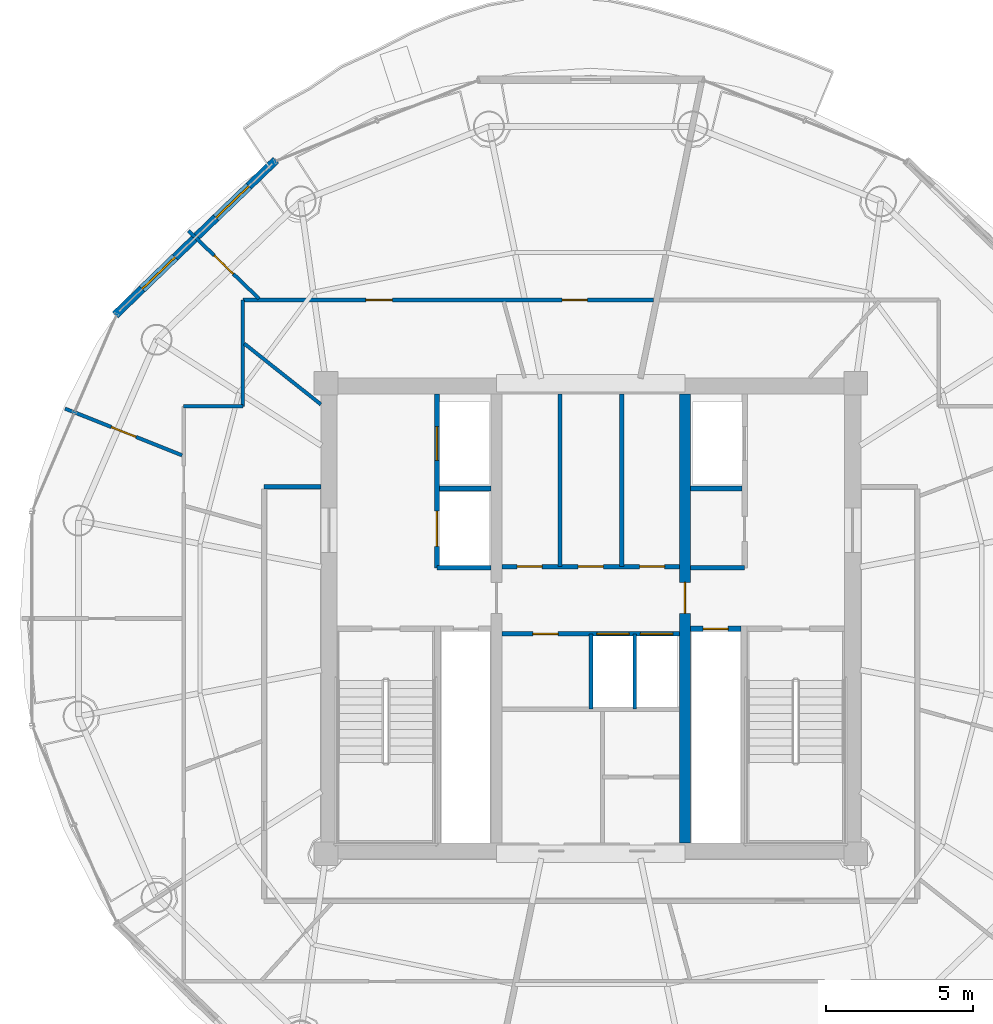
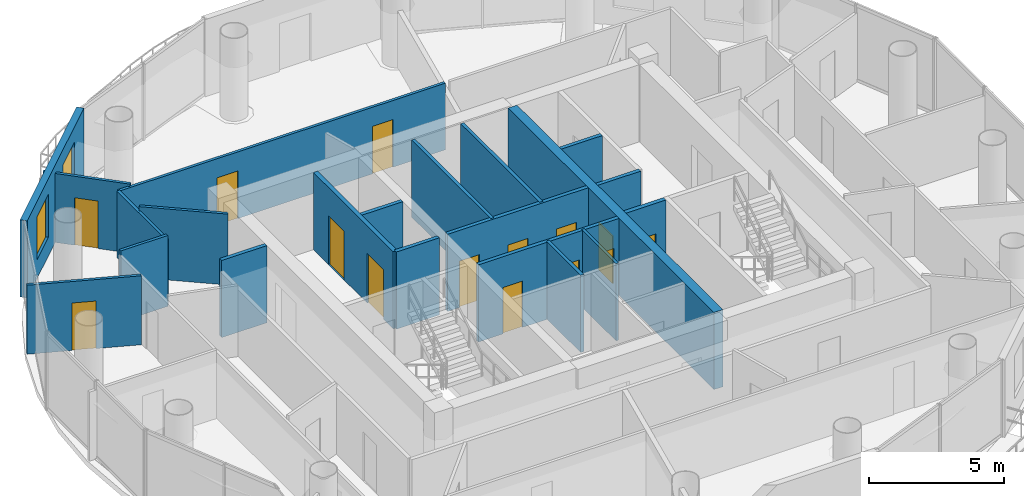
# One storey, part 15 of 21: 21 walls, 14 doors, 2 windows, 16 openings.
"""IFC4 building model written with IfcOpenShell, lengths in metres."""

from ifc_helpers import new_model, si_unit, direction, frame, frame_2d, origin, place, context, subcontext, project, spatial, rectangle, extrude, source, transform, mapped, material, layer, layer_set, type_object, element, fill, save


model = new_model("IFC4")

# Units and contexts
model_context = context("Model", 3, precision=1e-05, world=origin(), true_north=direction((-0.2419218956, 0.970295726276)))
body_context = subcontext(model_context, "Body", "Model", "MODEL_VIEW")
ifc_project = project(units=[si_unit("LENGTHUNIT", "METRE"), si_unit("AREAUNIT", "SQUARE_METRE"), si_unit("VOLUMEUNIT", "CUBIC_METRE"), si_unit("PLANEANGLEUNIT", "RADIAN"), si_unit("MASSUNIT", "GRAM", prefix="KILO")], contexts=[model_context])

# Site, building, storey
site_placement = place(None, origin())
site = spatial("IfcSite", under=ifc_project, at=site_placement, CompositionType="ELEMENT")
building_placement = place(site_placement, origin())
building = spatial("IfcBuilding", under=site, at=building_placement, Name="Cobrevalo Terracotta Tower", CompositionType="ELEMENT")
storey_placement = place(building_placement, frame((0.0, 0.0, 281.949951171875)))
storey = spatial("IfcBuildingStorey", under=building, at=storey_placement, Name="L74", CompositionType="ELEMENT", Elevation=281.949951171875)

# Walls
ifc_material_1 = material(Name="Gypsum board on steel stud", Category="steel")
ifc_layer_1 = layer(ifc_material_1, 0.159912109375)
ifc_layer_set_1 = layer_set([ifc_layer_1], Name="Gypsum board on steel stud")
wall_type_1 = type_object("IfcWallType", Name="Fire-rated corridor acoustic partition wall 160 mm", PredefinedType="PARTITIONING", material=ifc_layer_set_1)
wall_1_placement = place(storey_placement, frame((32.860107421875, 31.219970703125, 0.0), z_axis=(0.0, 0.0, 1.0), x_axis=(1.0, 0.0, 0.0)))
element("IfcWall", 1, at=wall_1_placement, inside=storey, type_object=wall_type_1, Name="L74 interior partition IW-L74-FF1-M", PredefinedType="PARTITIONING", context=body_context, shape_type="SweptSolid", body=[
    extrude(rectangle(XDim=1.75, YDim=0.159912109375, at=frame_2d((0.875, 0.0))), origin(), (0.0, 0.0, 1.0), 3.489990234375),
])
wall_2_placement = place(storey_placement, frame((32.77001953125, 28.52001953125, 0.0), z_axis=(0.0, 0.0, 1.0), x_axis=(1.0, 0.0, 0.0)))
element("IfcWall", 2, at=wall_2_placement, inside=storey, type_object=wall_type_1, Name="L74 interior partition IW-L74-FF1-S", PredefinedType="PARTITIONING", context=body_context, shape_type="SweptSolid", body=[
    extrude(rectangle(XDim=1.840087890625, YDim=0.159912109375, at=frame_2d((0.919921875, 0.0))), origin(), (0.0, 0.0, 1.0), 3.489990234375),
])
wall_3_placement = place(storey_placement, frame((41.389892578125, 31.219970703125, 0.0), z_axis=(0.0, 0.0, 1.0), x_axis=(1.0, 0.0, 0.0)))
element("IfcWall", 3, at=wall_3_placement, inside=storey, type_object=wall_type_1, Name="L74 interior partition IW-L74-FF2-M", PredefinedType="PARTITIONING", context=body_context, shape_type="SweptSolid", body=[
    extrude(rectangle(XDim=1.75, YDim=0.159912109375, at=frame_2d((0.875, 0.0))), origin(), (0.0, 0.0, 1.0), 3.489990234375),
])
wall_4_placement = place(storey_placement, frame((41.389892578125, 28.52001953125, 0.0), z_axis=(0.0, 0.0, 1.0), x_axis=(1.0, 0.0, 0.0)))
element("IfcWall", 4, at=wall_4_placement, inside=storey, type_object=wall_type_1, Name="L74 interior partition IW-L74-FF2-S", PredefinedType="PARTITIONING", context=body_context, shape_type="SweptSolid", body=[
    extrude(rectangle(XDim=1.840087890625, YDim=0.159912109375, at=frame_2d((0.919921875, 0.0))), origin(), (0.0, 0.0, 1.0), 3.489990234375),
])

# Wall, openings, doors
wall_5_placement = place(storey_placement, frame((34.989990234375, 28.56005859375, 0.0), z_axis=(0.0, 0.0, 1.0), x_axis=(1.0, 0.0, 0.0)))
wall_5 = element("IfcWall", 5, at=wall_5_placement, inside=storey, type_object=wall_type_1, Name="L74 interior partition IW-L74-LB-S", PredefinedType="PARTITIONING", context=body_context, shape_type="SweptSolid", body=[
    extrude(rectangle(XDim=6.02001953125, YDim=0.159912109375, at=frame_2d((3.010009765625, 0.0))), origin(), (0.0, 0.0, 1.0), 3.489990234375),
])
opening_1_placement = place(wall_5_placement, frame((0.5048828125, 0.0, 0.0)))
opening_1 = element("IfcOpeningElement", 6, at=opening_1_placement, cuts=wall_5, Name="Opening ID-22", PredefinedType="OPENING", context=body_context, shape_type="SweptSolid", body=[
    extrude(rectangle(XDim=0.85009765625, YDim=2.10009765625, at=frame_2d((0.425048828125, 1.050048828125))), frame((0.0, 0.08984375, 0.0), z_axis=(0.0, -1.0, 0.0), x_axis=(1.0, 0.0, 0.0)), (0.0, 0.0, 1.0), 0.179931640625),
])
opening_2_placement = place(wall_5_placement, frame((2.580078125, 0.0, 0.0)))
opening_2 = element("IfcOpeningElement", 7, at=opening_2_placement, cuts=wall_5, Name="Opening ID-07", PredefinedType="OPENING", context=body_context, shape_type="SweptSolid", body=[
    extrude(rectangle(XDim=0.860107421875, YDim=2.10009765625, at=frame_2d((0.43017578125, 1.050048828125))), frame((0.0, 0.08984375, 0.0), z_axis=(0.0, -1.0, 0.0), x_axis=(1.0, 0.0, 0.0)), (0.0, 0.0, 1.0), 0.179931640625),
])
opening_3_placement = place(wall_5_placement, frame((4.6650390625, 0.0, 0.0)))
opening_3 = element("IfcOpeningElement", 8, at=opening_3_placement, cuts=wall_5, Name="Opening ID-22", PredefinedType="OPENING", context=body_context, shape_type="SweptSolid", body=[
    extrude(rectangle(XDim=0.85009765625, YDim=2.10009765625, at=frame_2d((0.425048828125, 1.050048828125))), frame((0.0, 0.08984375, 0.0), z_axis=(0.0, -1.0, 0.0), x_axis=(1.0, 0.0, 0.0)), (0.0, 0.0, 1.0), 0.179931640625),
])
ifc_material_2 = material(Name="Powder-coated steel", Category="steel")
door_type_1 = type_object("IfcDoorType", Name="Riser shaft & meter closet fire access door 850x2100 EI 60", OperationType="NOTDEFINED", PredefinedType="DOOR", material=ifc_material_2)
shared_shape_1 = source(origin(), body_context, "Body", "SweptSolid", [
    extrude(rectangle(XDim=0.85009765625, YDim=2.10009765625, at=frame_2d((0.425048828125, 1.050048828125))), frame((0.0, 0.02490234375, 0.0), z_axis=(0.0, -1.0, 0.0), x_axis=(1.0, 0.0, 0.0)), (0.0, 0.0, 1.0), 0.050048828125),
])
door_1_placement = place(opening_1_placement, origin())
door_1 = element("IfcDoor", 9, at=door_1_placement, inside=storey, type_object=door_type_1, Name="L74 core service door Housekeeping Linen Store", OperationType="SINGLE_SWING_LEFT", OverallHeight=2.10009765625, OverallWidth=0.85009765625, PredefinedType="DOOR", context=body_context, shape_type="MappedRepresentation", body=[
    mapped(shared_shape_1, transform((0.0, 0.0, 0.0), scale=1.0)),
])
fill(opening_1, door_1)
door_2_placement = place(opening_3_placement, origin())
door_2 = element("IfcDoor", 10, at=door_2_placement, inside=storey, type_object=door_type_1, Name="L74 core service door Floor BMS Mechanical Plant", OperationType="SINGLE_SWING_LEFT", OverallHeight=2.10009765625, OverallWidth=0.85009765625, PredefinedType="DOOR", context=body_context, shape_type="MappedRepresentation", body=[
    mapped(shared_shape_1, transform((0.0, 0.0, 0.0), scale=1.0)),
])
fill(opening_3, door_2)
ifc_material_3 = material(Name="Fire-rated moisture-sealed timber", Category="wood")
door_type_2 = type_object("IfcDoorType", Name="Core & podium fire-rated accessible WC door 860x2100 EI 60", OperationType="NOTDEFINED", PredefinedType="DOOR", material=ifc_material_3)
shared_shape_2 = source(origin(), body_context, "Body", "SweptSolid", [
    extrude(rectangle(XDim=0.860107421875, YDim=2.10009765625, at=frame_2d((0.43017578125, 1.050048828125))), frame((0.0, 0.02490234375, 0.0), z_axis=(0.0, -1.0, 0.0), x_axis=(1.0, 0.0, 0.0)), (0.0, 0.0, 1.0), 0.050048828125),
])
door_3_placement = place(opening_2_placement, origin())
door_3 = element("IfcDoor", 11, at=door_3_placement, inside=storey, type_object=door_type_2, Name="L74 core service door Floor Service Toilet WC", OperationType="SINGLE_SWING_RIGHT", OverallHeight=2.10009765625, OverallWidth=0.860107421875, PredefinedType="DOOR", context=body_context, shape_type="MappedRepresentation", body=[
    mapped(shared_shape_2, transform((0.0, 0.0, 0.0), scale=1.0)),
])
fill(opening_2, door_3)

wall_6_placement = place(storey_placement, frame((34.989990234375, 26.280029296875, 0.0), z_axis=(0.0, 0.0, 1.0), x_axis=(1.0, 0.0, 0.0)))
wall_6 = element("IfcWall", 12, at=wall_6_placement, inside=storey, type_object=wall_type_1, Name="L74 interior partition IW-L74-MB-N", PredefinedType="PARTITIONING", context=body_context, shape_type="SweptSolid", body=[
    extrude(rectangle(XDim=6.02001953125, YDim=0.159912109375, at=frame_2d((3.010009765625, 0.0))), origin(), (0.0, 0.0, 1.0), 3.489990234375),
])
opening_4_placement = place(wall_6_placement, frame((1.044921875, 0.0, 0.0)))
opening_4 = element("IfcOpeningElement", 13, at=opening_4_placement, cuts=wall_6, Name="Opening ID-22", PredefinedType="OPENING", context=body_context, shape_type="SweptSolid", body=[
    extrude(rectangle(XDim=0.85009765625, YDim=2.10009765625, at=frame_2d((0.425048828125, 1.050048828125))), frame((0.0, 0.08984375, 0.0), z_axis=(0.0, -1.0, 0.0), x_axis=(1.0, 0.0, 0.0)), (0.0, 0.0, 1.0), 0.179931640625),
])
opening_5_placement = place(wall_6_placement, frame((3.215087890625, 0.0, 0.0)))
opening_5 = element("IfcOpeningElement", 14, at=opening_5_placement, cuts=wall_6, Name="Opening LD-01", PredefinedType="OPENING", context=body_context, shape_type="SweptSolid", body=[
    extrude(rectangle(XDim=1.10009765625, YDim=2.199951171875, at=frame_2d((0.550048828125, 1.10009765625))), frame((0.0, 0.08984375, 0.0), z_axis=(0.0, -1.0, 0.0), x_axis=(1.0, 0.0, 0.0)), (0.0, 0.0, 1.0), 0.179931640625),
])
opening_6_placement = place(wall_6_placement, frame((4.695068359375, 0.0, 0.0)))
opening_6 = element("IfcOpeningElement", 15, at=opening_6_placement, cuts=wall_6, Name="Opening LD-01", PredefinedType="OPENING", context=body_context, shape_type="SweptSolid", body=[
    extrude(rectangle(XDim=1.10009765625, YDim=2.199951171875, at=frame_2d((0.550048828125, 1.10009765625))), frame((0.0, 0.08984375, 0.0), z_axis=(0.0, -1.0, 0.0), x_axis=(1.0, 0.0, 0.0)), (0.0, 0.0, 1.0), 0.179931640625),
])
door_4_placement = place(opening_4_placement, frame((0.85009765625, 0.0, 0.0), z_axis=(0.0, 0.0, 1.0), x_axis=(-1.0, 0.0, 0.0)))
door_4 = element("IfcDoor", 16, at=door_4_placement, inside=storey, type_object=door_type_1, Name="L74 core room door High-Rise Core Linen and Equipment Store", OperationType="SINGLE_SWING_RIGHT", OverallHeight=2.10009765625, OverallWidth=0.85009765625, PredefinedType="DOOR", context=body_context, shape_type="MappedRepresentation", body=[
    mapped(shared_shape_1, transform((0.0, 0.0, 0.0), scale=1.0)),
])
fill(opening_4, door_4)
ifc_material_4 = material(Name="Brushed stainless steel", Category="steel")
door_type_3 = type_object("IfcDoorType", Name="Passenger lift landing bi-parting sliding door 1100x2200 EI 90", OperationType="DOUBLE_DOOR_SLIDING", PredefinedType="DOOR", material=ifc_material_4)
shared_shape_3 = source(origin(), body_context, "Body", "SweptSolid", [
    extrude(rectangle(XDim=1.10009765625, YDim=2.199951171875, at=frame_2d((0.550048828125, 1.10009765625))), frame((0.0, 0.02490234375, 0.0), z_axis=(0.0, -1.0, 0.0), x_axis=(1.0, 0.0, 0.0)), (0.0, 0.0, 1.0), 0.050048828125),
])
door_5_placement = place(opening_5_placement, origin())
door_5 = element("IfcDoor", 17, at=door_5_placement, inside=storey, type_object=door_type_3, Name="L74 lift landing door PL-H1", OperationType="DOUBLE_DOOR_SLIDING", OverallHeight=2.199951171875, OverallWidth=1.10009765625, PredefinedType="DOOR", context=body_context, shape_type="MappedRepresentation", body=[
    mapped(shared_shape_3, transform((0.0, 0.0, 0.0), scale=1.0)),
])
fill(opening_5, door_5)
door_6_placement = place(opening_6_placement, origin())
door_6 = element("IfcDoor", 18, at=door_6_placement, inside=storey, type_object=door_type_3, Name="L74 lift landing door PL-H2", OperationType="DOUBLE_DOOR_SLIDING", OverallHeight=2.199951171875, OverallWidth=1.10009765625, PredefinedType="DOOR", context=body_context, shape_type="MappedRepresentation", body=[
    mapped(shared_shape_3, transform((0.0, 0.0, 0.0), scale=1.0)),
])
fill(opening_6, door_6)

# Wall
wall_7_placement = place(storey_placement, frame((26.89501953125, 31.280029296875, 0.0), z_axis=(0.0, 0.0, 1.0), x_axis=(1.0, 0.0, 0.0)))
element("IfcWall", 19, at=wall_7_placement, inside=storey, type_object=wall_type_1, Name="L74 interior partition IW-L74-COR-WN-CAP", PredefinedType="PARTITIONING", context=body_context, shape_type="SweptSolid", body=[
    extrude(rectangle(XDim=1.929931640625, YDim=0.159912109375, at=frame_2d((0.96484375, 0.0))), origin(), (0.0, 0.0, 1.0), 3.489990234375),
])

# Wall, opening, door
ifc_layer_2 = layer(ifc_material_1, 0.179931640625)
ifc_layer_set_2 = layer_set([ifc_layer_2], Name="Gypsum board on steel stud")
wall_type_2 = type_object("IfcWallType", Name="Fire-rated shaft & lobby acoustic partition wall 180 mm", PredefinedType="PARTITIONING", material=ifc_layer_set_2)
wall_8_placement = place(storey_placement, frame((41.389892578125, 26.449951171875, 0.0), z_axis=(0.0, 0.0, 1.0), x_axis=(1.0, 0.0, 0.0)))
wall_8 = element("IfcWall", 20, at=wall_8_placement, inside=storey, type_object=wall_type_2, Name="L74 interior partition IW-L74-RSE-N", PredefinedType="PARTITIONING", context=body_context, shape_type="SweptSolid", body=[
    extrude(rectangle(XDim=1.710205078125, YDim=0.179931640625, at=frame_2d((0.85498046875, 0.0))), origin(), (0.0, 0.0, 1.0), 3.489990234375),
])
opening_7_placement = place(wall_8_placement, frame((0.429931640625, 0.0, 0.0)))
opening_7 = element("IfcOpeningElement", 21, at=opening_7_placement, cuts=wall_8, Name="Opening ID-22", PredefinedType="OPENING", context=body_context, shape_type="SweptSolid", body=[
    extrude(rectangle(XDim=0.85009765625, YDim=2.10009765625, at=frame_2d((0.425048828125, 1.050048828125))), frame((0.0, 0.10009765625, 0.0), z_axis=(0.0, -1.0, 0.0), x_axis=(1.0, 0.0, 0.0)), (0.0, 0.0, 1.0), 0.199951171875),
])
door_7_placement = place(opening_7_placement, origin())
door_7 = element("IfcDoor", 22, at=door_7_placement, inside=storey, type_object=door_type_1, Name="L74 riser access door RSE", OperationType="SINGLE_SWING_RIGHT", OverallHeight=2.10009765625, OverallWidth=0.85009765625, PredefinedType="DOOR", context=body_context, shape_type="MappedRepresentation", body=[
    mapped(shared_shape_1, transform((0.0, 0.0, 0.0), scale=1.0)),
])
fill(opening_7, door_7)

# Wall, openings, doors
wall_9_placement = place(storey_placement, frame((32.77001953125, 28.52001953125, 0.0), z_axis=(0.0, 0.0, 1.0), x_axis=(0.0, 1.0, 0.0)))
wall_9 = element("IfcWall", 23, at=wall_9_placement, inside=storey, type_object=wall_type_2, Name="L74 interior partition IW-L74-FF1-W", PredefinedType="PARTITIONING", context=body_context, shape_type="SweptSolid", body=[
    extrude(rectangle(XDim=5.905029296875, YDim=0.179931640625, at=frame_2d((2.95263671875, 0.0))), origin(), (0.0, 0.0, 1.0), 3.489990234375),
])
opening_8_placement = place(wall_9_placement, frame((3.655029296875, 0.0, 0.0)))
opening_8 = element("IfcOpeningElement", 24, at=opening_8_placement, cuts=wall_9, Name="Opening LD-02", PredefinedType="OPENING", context=body_context, shape_type="SweptSolid", body=[
    extrude(rectangle(XDim=1.14990234375, YDim=2.199951171875, at=frame_2d((0.574951171875, 1.10009765625))), frame((0.0, 0.10009765625, 0.0), z_axis=(0.0, -1.0, 0.0), x_axis=(1.0, 0.0, 0.0)), (0.0, 0.0, 1.0), 0.199951171875),
])
opening_9_placement = place(wall_9_placement, frame((0.72998046875, 0.0, 0.0)))
opening_9 = element("IfcOpeningElement", 25, at=opening_9_placement, cuts=wall_9, Name="Opening LD-03", PredefinedType="OPENING", context=body_context, shape_type="SweptSolid", body=[
    extrude(rectangle(XDim=1.199951171875, YDim=2.25, at=frame_2d((0.60009765625, 1.125))), frame((0.0, 0.10009765625, 0.0), z_axis=(0.0, -1.0, 0.0), x_axis=(1.0, 0.0, 0.0)), (0.0, 0.0, 1.0), 0.199951171875),
])
door_type_4 = type_object("IfcDoorType", Name="Firefighting lift landing bi-parting sliding door 1150x2200 EI 120", OperationType="DOUBLE_DOOR_SLIDING", PredefinedType="DOOR", material=ifc_material_4)
shared_shape_4 = source(origin(), body_context, "Body", "SweptSolid", [
    extrude(rectangle(XDim=1.14990234375, YDim=2.199951171875, at=frame_2d((0.574951171875, 1.10009765625))), frame((0.0, 0.02490234375, 0.0), z_axis=(0.0, -1.0, 0.0), x_axis=(1.0, 0.0, 0.0)), (0.0, 0.0, 1.0), 0.050048828125),
])
door_8_placement = place(opening_8_placement, origin())
door_8 = element("IfcDoor", 26, at=door_8_placement, inside=storey, type_object=door_type_4, Name="L74 lift landing door FF-1", OperationType="DOUBLE_DOOR_SLIDING", OverallHeight=2.199951171875, OverallWidth=1.14990234375, PredefinedType="DOOR", context=body_context, shape_type="MappedRepresentation", body=[
    mapped(shared_shape_4, transform((0.0, 0.0, 0.0), scale=1.0)),
])
fill(opening_8, door_8)
door_type_5 = type_object("IfcDoorType", Name="Service lift landing bi-parting sliding door 1200x2250 EI 120", OperationType="DOUBLE_DOOR_SLIDING", PredefinedType="DOOR", material=ifc_material_4)
shared_shape_5 = source(origin(), body_context, "Body", "SweptSolid", [
    extrude(rectangle(XDim=1.199951171875, YDim=2.25, at=frame_2d((0.60009765625, 1.125))), frame((0.0, 0.02490234375, 0.0), z_axis=(0.0, -1.0, 0.0), x_axis=(1.0, 0.0, 0.0)), (0.0, 0.0, 1.0), 0.050048828125),
])
door_9_placement = place(opening_9_placement, origin())
door_9 = element("IfcDoor", 27, at=door_9_placement, inside=storey, type_object=door_type_5, Name="L74 lift landing door SV-1", OperationType="DOUBLE_DOOR_SLIDING", OverallHeight=2.25, OverallWidth=1.199951171875, PredefinedType="DOOR", context=body_context, shape_type="MappedRepresentation", body=[
    mapped(shared_shape_5, transform((0.0, 0.0, 0.0), scale=1.0)),
])
fill(opening_9, door_9)

# Wall
ifc_material_5 = material(Name="Autoclaved aerated concrete block", Category="concrete")
ifc_layer_3 = layer(ifc_material_5, 0.1201171875)
ifc_layer_set_3 = layer_set([ifc_layer_3], Name="Autoclaved aerated concrete block")
wall_type_3 = type_object("IfcWallType", Name="Fire-rated wet-room & core service partition 120 mm", PredefinedType="PARTITIONING", material=ifc_layer_set_3)
wall_10_placement = place(storey_placement, frame((39.5, 23.719970703125, 0.0), z_axis=(0.0, 0.0, 1.0), x_axis=(0.0, 1.0, 0.0)))
element("IfcWall", 28, at=wall_10_placement, inside=storey, type_object=wall_type_3, Name="L74 interior partition IW-L74-MB-D3", PredefinedType="PARTITIONING", context=body_context, shape_type="SweptSolid", body=[
    extrude(rectangle(XDim=2.56005859375, YDim=0.1201171875, at=frame_2d((1.280029296875, 0.0))), origin(), (0.0, 0.0, 1.0), 3.489990234375),
])

# Wall, openings, windows
ifc_layer_4 = layer(ifc_material_5, 0.280029296875)
ifc_layer_set_4 = layer_set([ifc_layer_4], Name="Autoclaved aerated concrete block")
wall_type_4 = type_object("IfcWallType", Name="Insulated tower spandrel & pier wall 280 mm with terracotta rainscreen", PredefinedType="SOLIDWALL", material=ifc_layer_set_4)
wall_11_placement = place(storey_placement, frame((27.296142578125, 42.379150390625, 0.0), z_axis=(0.0, 0.0, 1.0), x_axis=(-0.719979309073, -0.693995529169, 0.0)))
wall_11 = element("IfcWall", 29, at=wall_11_placement, inside=storey, type_object=wall_type_4, Name="L74 terracotta rainscreen pier wall S06", PredefinedType="SOLIDWALL", context=body_context, shape_type="SweptSolid", body=[
    extrude(rectangle(XDim=7.58251953125, YDim=0.280029296875, at=frame_2d((3.791259765625, 0.0))), origin(), (0.0, 0.0, 1.0), 3.489990234375),
])
opening_10_placement = place(wall_11_placement, frame((1.272216796875, 0.0, 0.85009765625)))
opening_10 = element("IfcOpeningElement", 30, at=opening_10_placement, cuts=wall_11, Name="Opening WN-12", PredefinedType="OPENING", context=body_context, shape_type="SweptSolid", body=[
    extrude(rectangle(XDim=1.550048828125, YDim=1.949951171875, at=frame_2d((0.77490234375, 0.97509765625))), frame((0.0, 0.14990234375, 0.0), z_axis=(0.0, -1.0, 0.0), x_axis=(1.0, 0.0, 0.0)), (0.0, 0.0, 1.0), 0.300048828125),
])
opening_11_placement = place(wall_11_placement, frame((4.76025390625, 0.0, 0.85009765625)))
opening_11 = element("IfcOpeningElement", 31, at=opening_11_placement, cuts=wall_11, Name="Opening WN-12", PredefinedType="OPENING", context=body_context, shape_type="SweptSolid", body=[
    extrude(rectangle(XDim=1.550048828125, YDim=1.949951171875, at=frame_2d((0.77490234375, 0.97509765625))), frame((0.0, 0.14990234375, 0.0), z_axis=(0.0, -1.0, 0.0), x_axis=(1.0, 0.0, 0.0)), (0.0, 0.0, 1.0), 0.300048828125),
])
ifc_material_6 = material(Name="Solar-control low-E double glazing", Category="glass")
window_type = type_object("IfcWindowType", Name="Solar-control low-E aluminium window 1550x1950", PartitioningType="SINGLE_PANEL", PredefinedType="WINDOW", material=ifc_material_6)
shared_shape_6 = source(origin(), body_context, "Body", "SweptSolid", [
    extrude(rectangle(XDim=1.550048828125, YDim=1.949951171875, at=frame_2d((0.77490234375, 0.97509765625))), frame((0.0, 0.030029296875, 0.0), z_axis=(0.0, -1.0, 0.0), x_axis=(1.0, 0.0, 0.0)), (0.0, 0.0, 1.0), 0.06005859375),
])
window_1_placement = place(opening_10_placement, origin())
window_1 = element("IfcWindow", 32, at=window_1_placement, inside=storey, type_object=window_type, Name="L74 suite window S06A", OverallHeight=1.949951171875, OverallWidth=1.550048828125, PartitioningType="SINGLE_PANEL", PredefinedType="WINDOW", context=body_context, shape_type="MappedRepresentation", body=[
    mapped(shared_shape_6, transform((0.0, 0.0, 0.0), scale=1.0)),
])
fill(opening_10, window_1)
window_2_placement = place(opening_11_placement, origin())
window_2 = element("IfcWindow", 33, at=window_2_placement, inside=storey, type_object=window_type, Name="L74 suite window S06B", OverallHeight=1.949951171875, OverallWidth=1.550048828125, PartitioningType="SINGLE_PANEL", PredefinedType="WINDOW", context=body_context, shape_type="MappedRepresentation", body=[
    mapped(shared_shape_6, transform((0.0, 0.0, 0.0), scale=1.0)),
])
fill(opening_11, window_2)

# Wall, opening, door
ifc_material_7 = material(Name="Concrete C50", Category="concrete")
ifc_layer_5 = layer(ifc_material_7, 0.3798828125)
ifc_layer_set_5 = layer_set([ifc_layer_5], Name="Concrete C50")
wall_type_5 = type_object("IfcWallType", Name="Internal core shear web wall 380 mm Concrete C50", PredefinedType="SHEAR", material=ifc_layer_set_5)
wall_12_placement = place(storey_placement, frame((41.199951171875, 19.175048828125, 0.0), z_axis=(0.0, 0.0, 1.0), x_axis=(0.0, 1.0, 0.0)))
wall_12 = element("IfcWall", 34, at=wall_12_placement, inside=storey, type_object=wall_type_5, Name="L74 internal core shear wall WEB-E", PredefinedType="SHEAR", context=body_context, shape_type="SweptSolid", body=[
    extrude(rectangle(XDim=15.25, YDim=0.3798828125, at=frame_2d((7.625, 0.0))), origin(), (0.0, 0.0, 1.0), 3.489990234375),
])
opening_12_placement = place(wall_12_placement, frame((7.800048828125, 0.0, 0.0)))
opening_12 = element("IfcOpeningElement", 35, at=opening_12_placement, cuts=wall_12, Name="Opening ID-11", PredefinedType="OPENING", context=body_context, shape_type="SweptSolid", body=[
    extrude(rectangle(XDim=1.050048828125, YDim=2.14990234375, at=frame_2d((0.52490234375, 1.074951171875))), frame((0.0, 0.199951171875, 0.0), z_axis=(0.0, -1.0, 0.0), x_axis=(1.0, 0.0, 0.0)), (0.0, 0.0, 1.0), 0.39990234375),
])
ifc_material_8 = material(Name="Galvanized fire-rated steel", Category="steel")
door_type_6 = type_object("IfcDoorType", Name="Core concourse cross fire door 1050x2150 EI 90", OperationType="NOTDEFINED", PredefinedType="DOOR", material=ifc_material_8)
shared_shape_7 = source(origin(), body_context, "Body", "SweptSolid", [
    extrude(rectangle(XDim=1.050048828125, YDim=2.14990234375, at=frame_2d((0.52490234375, 1.074951171875))), frame((0.0, 0.02490234375, 0.0), z_axis=(0.0, -1.0, 0.0), x_axis=(1.0, 0.0, 0.0)), (0.0, 0.0, 1.0), 0.050048828125),
])
door_10_placement = place(opening_12_placement, frame((1.050048828125, 0.0, 0.0), z_axis=(0.0, 0.0, 1.0), x_axis=(-1.0, 0.0, 0.0)))
door_10 = element("IfcDoor", 36, at=door_10_placement, inside=storey, type_object=door_type_6, Name="L74 east core concourse cross door", OperationType="SINGLE_SWING_RIGHT", OverallHeight=2.14990234375, OverallWidth=1.050048828125, PredefinedType="DOOR", context=body_context, shape_type="MappedRepresentation", body=[
    mapped(shared_shape_7, transform((0.0, 0.0, 0.0), scale=1.0)),
])
fill(opening_12, door_10)

# Walls
ifc_layer_6 = layer(ifc_material_5, 0.139892578125)
ifc_layer_set_6 = layer_set([ifc_layer_6], Name="Autoclaved aerated concrete block")
wall_type_6 = type_object("IfcWallType", Name="Moisture-resistant wet-room & core service partition 140 mm", PredefinedType="PARTITIONING", material=ifc_layer_set_6)
for number, where, z_axis, x_axis, name in (
    (37, (36.949951171875, 28.56005859375, 0.0), (0.0, 0.0, 1.0), (0.0, 1.0, 0.0), "L74 interior partition IW-L74-KVN-A"),
    (38, (39.050048828125, 28.56005859375, 0.0), (0.0, 0.0, 1.0), (0.0, 1.0, 0.0), "L74 interior partition IW-L74-KVN-B"),
):
    element("IfcWall", number, at=place(storey_placement, frame(where, z_axis=z_axis, x_axis=x_axis)), inside=storey, type_object=wall_type_6, Name=name, PredefinedType="PARTITIONING", context=body_context, shape_type="SweptSolid", body=[
        extrude(rectangle(XDim=5.864990234375, YDim=0.139892578125, at=frame_2d((2.9326171875, 0.0))), origin(), (0.0, 0.0, 1.0), 3.489990234375),
    ])
wall_13_placement = place(storey_placement, frame((38.0, 23.719970703125, 0.0), z_axis=(0.0, 0.0, 1.0), x_axis=(0.0, 1.0, 0.0)))
element("IfcWall", 39, at=wall_13_placement, inside=storey, type_object=wall_type_6, Name="L74 interior partition IW-L74-MB-D2", PredefinedType="PARTITIONING", context=body_context, shape_type="SweptSolid", body=[
    extrude(rectangle(XDim=2.56005859375, YDim=0.139892578125, at=frame_2d((1.280029296875, 0.0))), origin(), (0.0, 0.0, 1.0), 3.489990234375),
])
ifc_layer_7 = layer(ifc_material_1, 0.1201171875)
ifc_layer_set_7 = layer_set([ifc_layer_7], Name="Gypsum board on steel stud")
wall_type_7 = type_object("IfcWallType", Name="Residential internal acoustic stud partition 120 mm", PredefinedType="PARTITIONING", material=ifc_layer_set_7)
wall_14_placement = place(storey_placement, frame((24.1650390625, 34.010009765625, 0.0), z_axis=(0.0, 0.0, 1.0), x_axis=(1.0, 0.0, 0.0)))
element("IfcWall", 40, at=wall_14_placement, inside=storey, type_object=wall_type_7, Name="L74 interior partition IW-L74-U1-RING2_0", PredefinedType="PARTITIONING", context=body_context, shape_type="SweptSolid", body=[
    extrude(rectangle(XDim=2.010009765625, YDim=0.1201171875, at=frame_2d((1.0048828125, 0.0))), origin(), (0.0, 0.0, 1.0), 3.208984375),
])
wall_15_placement = place(storey_placement, frame((26.175048828125, 34.010009765625, 0.0), z_axis=(0.0, 0.0, 1.0), x_axis=(0.0, 1.0, 0.0)))
element("IfcWall", 41, at=wall_15_placement, inside=storey, type_object=wall_type_7, Name="L74 interior partition IW-L74-U1-RING3_0", PredefinedType="PARTITIONING", context=body_context, shape_type="SweptSolid", body=[
    extrude(rectangle(XDim=3.614990234375, YDim=0.1201171875, at=frame_2d((1.8076171875, 0.0))), origin(), (0.0, 0.0, 1.0), 3.01513671875),
])

# Wall, openings, doors
wall_16_placement = place(storey_placement, frame((26.175048828125, 37.625, 0.0), z_axis=(0.0, 0.0, 1.0), x_axis=(1.0, 0.0, 0.0)))
wall_16 = element("IfcWall", 42, at=wall_16_placement, inside=storey, type_object=wall_type_7, Name="L74 interior partition IW-L74-U1-RING4_0", PredefinedType="PARTITIONING", context=body_context, shape_type="SweptSolid", body=[
    extrude(rectangle(XDim=13.956787109375, YDim=0.1201171875, at=frame_2d((6.978515625, 0.0))), origin(), (0.0, 0.0, 1.0), 3.01513671875),
])
opening_13_placement = place(wall_16_placement, frame((10.852294921875, 0.0, 0.0)))
opening_13 = element("IfcOpeningElement", 43, at=opening_13_placement, cuts=wall_16, Name="Opening ID-19", PredefinedType="OPENING", context=body_context, shape_type="SweptSolid", body=[
    extrude(rectangle(XDim=0.860107421875, YDim=2.14990234375, at=frame_2d((0.43017578125, 1.074951171875))), frame((0.0, 0.070068359375, 0.0), z_axis=(0.0, -1.0, 0.0), x_axis=(1.0, 0.0, 0.0)), (0.0, 0.0, 1.0), 0.14013671875),
])
opening_14_placement = place(wall_16_placement, frame((4.1826171875, 0.0, 0.0)))
opening_14 = element("IfcOpeningElement", 44, at=opening_14_placement, cuts=wall_16, Name="Opening ID-12", PredefinedType="OPENING", context=body_context, shape_type="SweptSolid", body=[
    extrude(rectangle(XDim=0.89990234375, YDim=2.14990234375, at=frame_2d((0.449951171875, 1.074951171875))), frame((0.0, 0.070068359375, 0.0), z_axis=(0.0, -1.0, 0.0), x_axis=(1.0, 0.0, 0.0)), (0.0, 0.0, 1.0), 0.14013671875),
])
ifc_material_9 = material(Name="Moisture-sealed timber", Category="wood")
door_type_7 = type_object("IfcDoorType", Name="Suite bathroom internal timber door 860x2150", OperationType="NOTDEFINED", PredefinedType="DOOR", material=ifc_material_9)
shared_shape_8 = source(origin(), body_context, "Body", "SweptSolid", [
    extrude(rectangle(XDim=0.860107421875, YDim=2.14990234375, at=frame_2d((0.43017578125, 1.074951171875))), frame((0.0, 0.02490234375, 0.0), z_axis=(0.0, -1.0, 0.0), x_axis=(1.0, 0.0, 0.0)), (0.0, 0.0, 1.0), 0.050048828125),
])
door_11_placement = place(opening_13_placement, frame((0.860107421875, 0.0, 0.0), z_axis=(0.0, 0.0, 1.0), x_axis=(-1.0, 0.0, 0.0)))
door_11 = element("IfcDoor", 45, at=door_11_placement, inside=storey, type_object=door_type_7, Name="Flat L74A Guest Bathroom internal door", OperationType="SINGLE_SWING_LEFT", OverallHeight=2.14990234375, OverallWidth=0.860107421875, PredefinedType="DOOR", context=body_context, shape_type="MappedRepresentation", body=[
    mapped(shared_shape_8, transform((0.0, 0.0, 0.0), scale=1.0)),
])
fill(opening_13, door_11)
ifc_material_10 = material(Name="Engineered timber", Category="wood")
door_type_8 = type_object("IfcDoorType", Name="Internal residence & suite timber door 900x2150", OperationType="NOTDEFINED", PredefinedType="DOOR", material=ifc_material_10)
shared_shape_9 = source(origin(), body_context, "Body", "SweptSolid", [
    extrude(rectangle(XDim=0.89990234375, YDim=2.14990234375, at=frame_2d((0.449951171875, 1.074951171875))), frame((0.0, 0.02490234375, 0.0), z_axis=(0.0, -1.0, 0.0), x_axis=(1.0, 0.0, 0.0)), (0.0, 0.0, 1.0), 0.050048828125),
])
door_12_placement = place(opening_14_placement, frame((0.89990234375, 0.0, 0.0), z_axis=(0.0, 0.0, 1.0), x_axis=(-1.0, 0.0, 0.0)))
door_12 = element("IfcDoor", 46, at=door_12_placement, inside=storey, type_object=door_type_8, Name="Flat L74A Utility Closet internal door", OperationType="SINGLE_SWING_RIGHT", OverallHeight=2.14990234375, OverallWidth=0.89990234375, PredefinedType="DOOR", context=body_context, shape_type="MappedRepresentation", body=[
    mapped(shared_shape_9, transform((0.0, 0.0, 0.0), scale=1.0)),
])
fill(opening_14, door_12)

# Wall, opening, door
wall_17_placement = place(storey_placement, frame((26.72509765625, 37.66796875, 0.0), z_axis=(0.0, 0.0, 1.0), x_axis=(-0.719954096891, 0.694021684366, 0.0)))
wall_17 = element("IfcWall", 47, at=wall_17_placement, inside=storey, type_object=wall_type_7, Name="L74 interior partition IW-L74-U1-ORAD1", PredefinedType="PARTITIONING", context=body_context, shape_type="SweptSolid", body=[
    extrude(rectangle(XDim=3.332763671875, YDim=0.1201171875, at=frame_2d((1.66650390625, 0.0))), origin(), (0.0, 0.0, 1.0), 3.12109375),
])
opening_15_placement = place(wall_17_placement, frame((1.21630859375, 0.0, 0.0)))
opening_15 = element("IfcOpeningElement", 48, at=opening_15_placement, cuts=wall_17, Name="Opening ID-12", PredefinedType="OPENING", context=body_context, shape_type="SweptSolid", body=[
    extrude(rectangle(XDim=0.89990234375, YDim=2.14990234375, at=frame_2d((0.449951171875, 1.074951171875))), frame((0.0, 0.070068359375, 0.0), z_axis=(0.0, -1.0, 0.0), x_axis=(1.0, 0.0, 0.0)), (0.0, 0.0, 1.0), 0.14013671875),
])
door_13_placement = place(opening_15_placement, frame((0.89990234375, 0.0, 0.0), z_axis=(0.0, 0.0, 1.0), x_axis=(-1.0, 0.0, 0.0)))
door_13 = element("IfcDoor", 49, at=door_13_placement, inside=storey, type_object=door_type_8, Name="Flat L74A Penthouse Living and Dining Room internal door", OperationType="SINGLE_SWING_RIGHT", OverallHeight=2.14990234375, OverallWidth=0.89990234375, PredefinedType="DOOR", context=body_context, shape_type="MappedRepresentation", body=[
    mapped(shared_shape_9, transform((0.0, 0.0, 0.0), scale=1.0)),
])
fill(opening_15, door_13)

wall_18_placement = place(storey_placement, frame((24.107421875, 32.346923828125, 0.0), z_axis=(0.0, 0.0, 1.0), x_axis=(-0.928712556691, 0.370800467966, 0.0)))
wall_18 = element("IfcWall", 50, at=wall_18_placement, inside=storey, type_object=wall_type_7, Name="L74 interior partition IW-L74-U1-ORAD2M1", PredefinedType="PARTITIONING", context=body_context, shape_type="SweptSolid", body=[
    extrude(rectangle(XDim=4.27978515625, YDim=0.1201171875, at=frame_2d((2.139892578125, 0.0))), origin(), (0.0, 0.0, 1.0), 3.12109375),
])
opening_16_placement = place(wall_18_placement, frame((1.68994140625, 0.0, 0.0)))
opening_16 = element("IfcOpeningElement", 51, at=opening_16_placement, cuts=wall_18, Name="Opening ID-12", PredefinedType="OPENING", context=body_context, shape_type="SweptSolid", body=[
    extrude(rectangle(XDim=0.89990234375, YDim=2.14990234375, at=frame_2d((0.449951171875, 1.074951171875))), frame((0.0, 0.070068359375, 0.0), z_axis=(0.0, -1.0, 0.0), x_axis=(1.0, 0.0, 0.0)), (0.0, 0.0, 1.0), 0.14013671875),
])
door_14_placement = place(opening_16_placement, frame((0.89990234375, 0.0, 0.0), z_axis=(0.0, 0.0, 1.0), x_axis=(-1.0, 0.0, 0.0)))
door_14 = element("IfcDoor", 52, at=door_14_placement, inside=storey, type_object=door_type_8, Name="Flat L74A Master Bedroom internal door", OperationType="SINGLE_SWING_LEFT", OverallHeight=2.14990234375, OverallWidth=0.89990234375, PredefinedType="DOOR", context=body_context, shape_type="MappedRepresentation", body=[
    mapped(shared_shape_9, transform((0.0, 0.0, 0.0), scale=1.0)),
])
fill(opening_16, door_14)

# Wall
wall_19_placement = place(storey_placement, frame((28.824951171875, 34.077392578125, 0.0), z_axis=(0.0, 0.0, 1.0), x_axis=(-0.783444596274, 0.621461635637, 0.0)))
element("IfcWall", 53, at=wall_19_placement, inside=storey, type_object=wall_type_7, Name="L74 interior partition IW-L74-U1-IRAD2", PredefinedType="PARTITIONING", context=body_context, shape_type="SweptSolid", body=[
    extrude(rectangle(XDim=3.3203125, YDim=0.1201171875, at=frame_2d((1.66015625, 0.0))), origin(), (0.0, 0.0, 1.0), 3.208984375),
])

save(model, "model.ifc")
